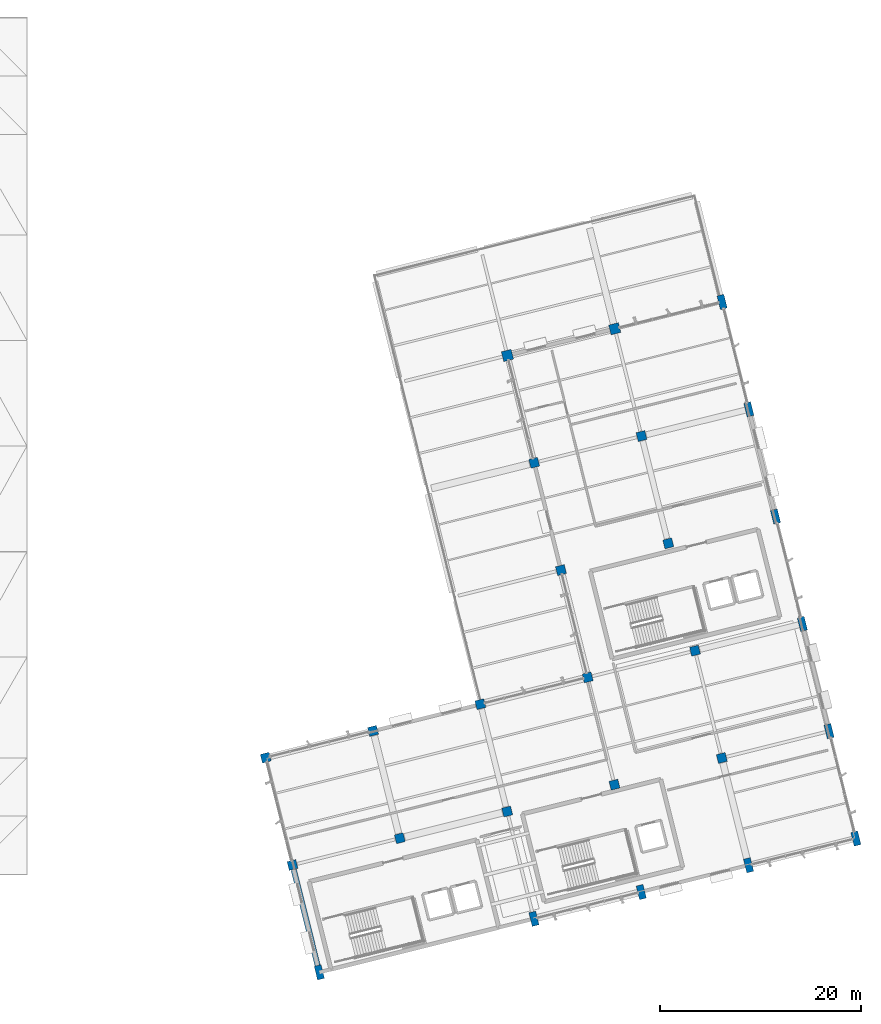
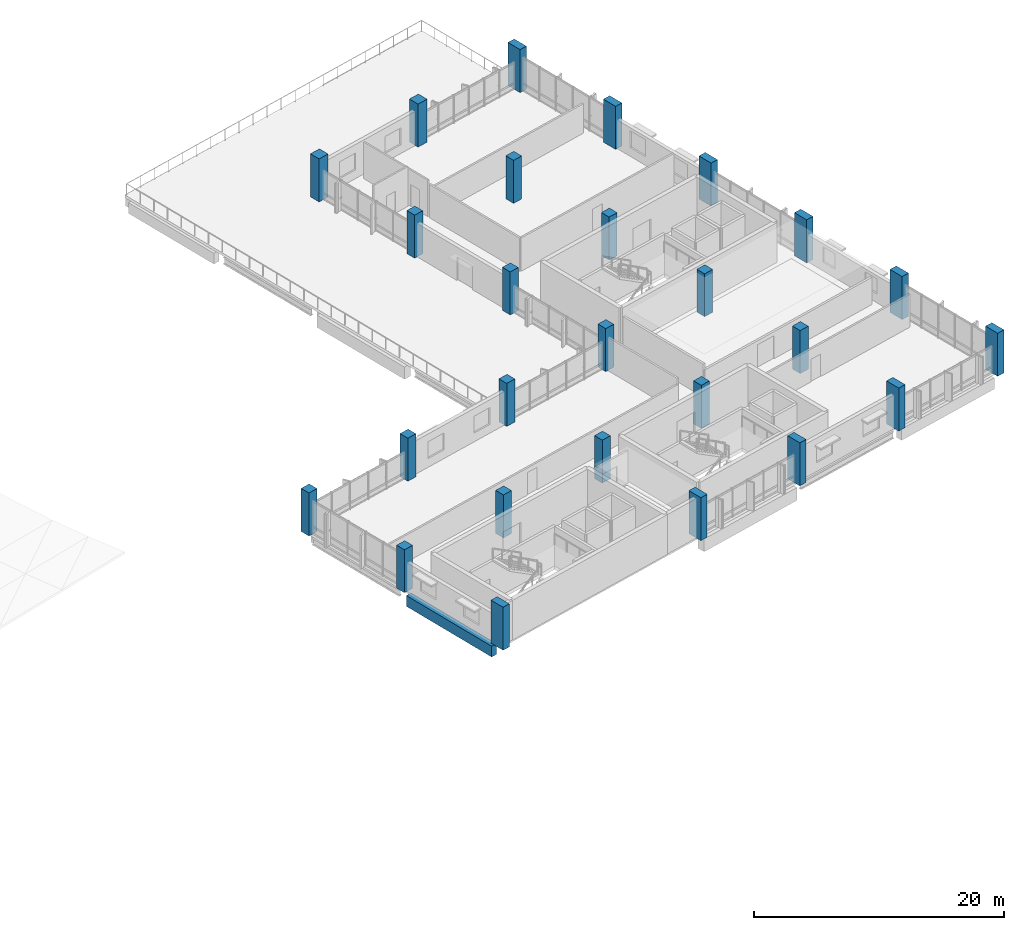
# One storey, part 1 of 42: 26 columns, 1 beam.
"""IFC4 building model written with IfcOpenShell, lengths in metres."""

from ifc_helpers import new_model, si_unit, direction, frame, origin, origin_2d, place, context, subcontext, project, spatial, rectangle, extrude, material, material_profile, profile_set, type_object, element, save


model = new_model("IFC4")

# Units and contexts
model_context = context("Model", 3, precision=1e-05, world=origin(), true_north=direction((0.0, 1.0)))
body_context = subcontext(model_context, "Body", "Model", "MODEL_VIEW")
ifc_project = project(units=[si_unit("LENGTHUNIT", "METRE"), si_unit("AREAUNIT", "SQUARE_METRE"), si_unit("VOLUMEUNIT", "CUBIC_METRE"), si_unit("PLANEANGLEUNIT", "RADIAN"), si_unit("MASSUNIT", "GRAM", prefix="KILO")], contexts=[model_context])

# Site, building, storey
site_placement = place(None, origin())
site = spatial("IfcSite", under=ifc_project, at=site_placement, CompositionType="ELEMENT")
building_placement = place(site_placement, origin())
building = spatial("IfcBuilding", under=site, at=building_placement, Name="Khorjan Park Terminus", CompositionType="ELEMENT")
storey_placement = place(building_placement, frame((0.0, 0.0, 20.4)))
storey = spatial("IfcBuildingStorey", under=building, at=storey_placement, Name="L04", CompositionType="ELEMENT", Elevation=20.4)

# Columns
ifc_material_1 = material(Name="Concrete C50/60", Category="concrete")
ifc_material_profile_1 = material_profile(ifc_material_1, rectangle(XDim=0.7, YDim=1.4, at=origin_2d()), Name="RC 700x1400")
ifc_profile_set_1 = profile_set([ifc_material_profile_1], Name="Concrete C50/60")
column_type_1 = type_object("IfcColumnType", Name="COL-BL1400E", PredefinedType="COLUMN", material=ifc_profile_set_1)
for number, where, z_axis, x_axis, name in (
    (1, (176.673, 4.661, 0.0), (0.0, 0.0, 1.0), (0.970295726276, 0.2419218956, 0.0), "Structural column C-BL14 (L04 #691)"),
    (2, (198.02, 9.983, 0.0), (0.0, 0.0, 1.0), (0.970295726276, 0.2419218956, 0.0), "Structural column C-BL14 (L04 #754)"),
    (3, (208.693, 12.645, 0.0), (0.0, 0.0, 1.0), (0.970295726276, 0.2419218956, 0.0), "Structural column C-BL14 (L04 #795)"),
    (4, (219.366, 15.306, 0.0), (0.0, 0.0, 1.0), (0.970295726276, 0.2419218956, 0.0), "Structural column C-BL14 (L04 #841)"),
    (5, (230.04, 17.967, 0.0), (0.0, 0.0, 1.0), (0.970295726276, 0.2419218956, 0.0), "Structural column C-BL14 (L04 #887)"),
    (6, (227.378, 28.64, 0.0), (0.0, 0.0, 1.0), (0.970295726276, 0.2419218956, 0.0), "Structural column C-BL14 (L04 #894)"),
    (7, (224.717, 39.313, 0.0), (0.0, 0.0, 1.0), (0.970295726276, 0.2419218956, 0.0), "Structural column C-BL14 (L04 #901)"),
    (8, (222.056, 49.987, 0.0), (0.0, 0.0, 1.0), (0.970295726276, 0.2419218956, 0.0), "Structural column C-BL14 (L04 #908)"),
    (9, (219.395, 60.66, 0.0), (0.0, 0.0, 1.0), (0.970295726276, 0.2419218956, 0.0), "Structural column C-BL14 (L04 #915)"),
    (10, (216.734, 71.333, 0.0), (0.0, 0.0, 1.0), (0.970295726276, 0.2419218956, 0.0), "Structural column C-BL14 (L04 #922)"),
):
    element("IfcColumn", number, at=place(storey_placement, frame(where, z_axis=z_axis, x_axis=x_axis)), inside=storey, type_object=column_type_1, Name=name, PredefinedType="COLUMN", context=body_context, shape_type="SweptSolid", body=[
        extrude(rectangle(XDim=0.7, YDim=1.4, at=origin_2d()), origin(), (0.0, 0.0, 1.0), 4.2),
    ])
ifc_material_profile_2 = material_profile(ifc_material_1, rectangle(XDim=1.0, YDim=1.0, at=origin_2d()), Name="RC 1000x1000")
ifc_profile_set_2 = profile_set([ifc_material_profile_2], Name="Concrete C50/60")
column_type_2 = type_object("IfcColumnType", Name="COL-RC1000", PredefinedType="COLUMN", material=ifc_profile_set_2)
for number, where, z_axis, x_axis, name in (
    (11, (195.387, 66.011, 0.0), (0.0, 0.0, 1.0), (0.970295726276, 0.2419218956, 0.0), "Structural column C-RC10 (L04 #830)"),
    (12, (206.061, 68.672, 0.0), (0.0, 0.0, 1.0), (0.970295726276, 0.2419218956, 0.0), "Structural column C-RC10 (L04 #876)"),
):
    element("IfcColumn", number, at=place(storey_placement, frame(where, z_axis=z_axis, x_axis=x_axis)), inside=storey, type_object=column_type_2, Name=name, PredefinedType="COLUMN", context=body_context, shape_type="SweptSolid", body=[
        extrude(rectangle(XDim=1.0, YDim=1.0, at=origin_2d()), origin(), (0.0, 0.0, 1.0), 4.2),
    ])
ifc_material_profile_3 = material_profile(ifc_material_1, rectangle(XDim=0.9, YDim=0.9, at=origin_2d()), Name="RC 900x900")
ifc_profile_set_3 = profile_set([ifc_material_profile_3], Name="Concrete C50/60")
column_type_3 = type_object("IfcColumnType", Name="COL-RC900", PredefinedType="COLUMN", material=ifc_profile_set_3)
for number, where, z_axis, x_axis, name in (
    (13, (174.012, 15.334, 0.0), (0.0, 0.0, 1.0), (0.970295726276, 0.2419218956, 0.0), "Structural column C-RC09 (L04 #698)"),
    (14, (171.351, 26.008, 0.0), (0.0, 0.0, 1.0), (0.970295726276, 0.2419218956, 0.0), "Structural column C-RC09 (L04 #705)"),
    (15, (184.685, 17.995, 0.0), (0.0, 0.0, 1.0), (0.970295726276, 0.2419218956, 0.0), "Structural column C-RC09 (L04 #724)"),
    (16, (182.024, 28.669, 0.0), (0.0, 0.0, 1.0), (0.970295726276, 0.2419218956, 0.0), "Structural column C-RC09 (L04 #731)"),
    (17, (195.359, 20.657, 0.0), (0.0, 0.0, 1.0), (0.970295726276, 0.2419218956, 0.0), "Structural column C-RC09 (L04 #761)"),
    (18, (192.697, 31.33, 0.0), (0.0, 0.0, 1.0), (0.970295726276, 0.2419218956, 0.0), "Structural column C-RC09 (L04 #768)"),
    (19, (206.032, 23.318, 0.0), (0.0, 0.0, 1.0), (0.970295726276, 0.2419218956, 0.0), "Structural column C-RC09 (L04 #802)"),
    (20, (203.371, 33.991, 0.0), (0.0, 0.0, 1.0), (0.970295726276, 0.2419218956, 0.0), "Structural column C-RC09 (L04 #809)"),
    (21, (200.71, 44.664, 0.0), (0.0, 0.0, 1.0), (0.970295726276, 0.2419218956, 0.0), "Structural column C-RC09 (L04 #816)"),
    (22, (198.048, 55.338, 0.0), (0.0, 0.0, 1.0), (0.970295726276, 0.2419218956, 0.0), "Structural column C-RC09 (L04 #823)"),
    (23, (216.705, 25.979, 0.0), (0.0, 0.0, 1.0), (0.970295726276, 0.2419218956, 0.0), "Structural column C-RC09 (L04 #848)"),
    (24, (214.044, 36.652, 0.0), (0.0, 0.0, 1.0), (0.970295726276, 0.2419218956, 0.0), "Structural column C-RC09 (L04 #855)"),
    (25, (211.383, 47.325, 0.0), (0.0, 0.0, 1.0), (0.970295726276, 0.2419218956, 0.0), "Structural column C-RC09 (L04 #862)"),
    (26, (208.722, 57.999, 0.0), (0.0, 0.0, 1.0), (0.970295726276, 0.2419218956, 0.0), "Structural column C-RC09 (L04 #869)"),
):
    element("IfcColumn", number, at=place(storey_placement, frame(where, z_axis=z_axis, x_axis=x_axis)), inside=storey, type_object=column_type_3, Name=name, PredefinedType="COLUMN", context=body_context, shape_type="SweptSolid", body=[
        extrude(rectangle(XDim=0.9, YDim=0.9, at=origin_2d()), origin(), (0.0, 0.0, 1.0), 4.2),
    ])

# Beam
ifc_material_2 = material(Name="Concrete C40/50", Category="concrete")
ifc_material_profile_4 = material_profile(ifc_material_2, rectangle(XDim=0.55, YDim=1.05, at=origin_2d()), Name="RC 550x1050")
ifc_profile_set_4 = profile_set([ifc_material_profile_4], Name="Concrete C40/50")
beam_type = type_object("IfcBeamType", Name="BM-RC550x1050", PredefinedType="BEAM", material=ifc_profile_set_4)
beam_placement = place(storey_placement, frame((176.5051, 5.3355, -0.865), z_axis=(-0.241916758476, 0.97029700709, 0.0), x_axis=(-0.97029700709, -0.241916758476, 0.0)))
element("IfcBeam", 27, at=beam_placement, inside=storey, type_object=beam_type, Name="Primary skew-grid floor girder GB-105 (L04)", PredefinedType="BEAM", context=body_context, shape_type="SweptSolid", body=[
    extrude(rectangle(XDim=0.55, YDim=1.05, at=origin_2d()), origin(), (0.0, 0.0, 1.0), 9.81),
])

save(model, "model.ifc")
